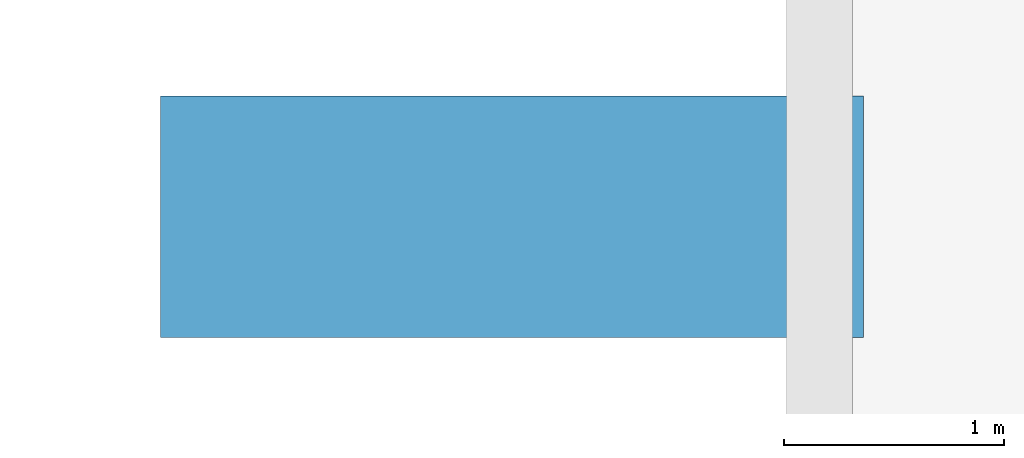
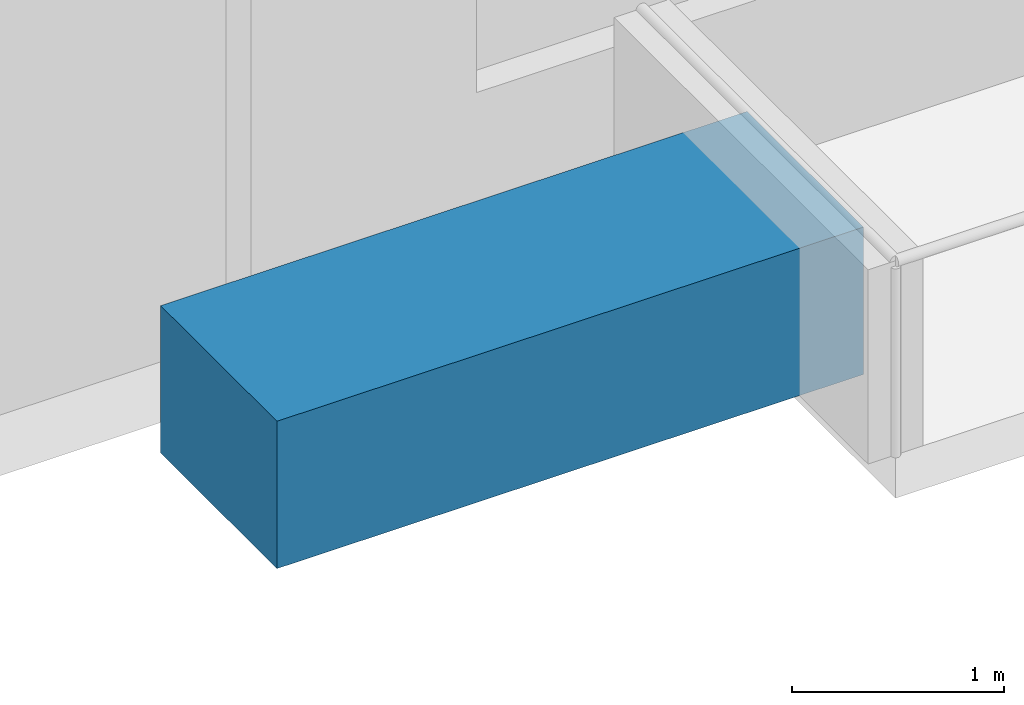
# One storey, part 12 of 16: 1 discrete accessory.
"""IFC4 building model written with IfcOpenShell, lengths in metres."""

from ifc_helpers import new_model, si_unit, direction, frame, origin, origin_2d, place, context, subcontext, project, spatial, rectangle, extrude, material, type_object, element, save


model = new_model("IFC4")

# Units and contexts
model_context = context("Model", 3, precision=1e-05, world=origin(), true_north=direction((0.0, 1.0)))
body_context = subcontext(model_context, "Body", "Model", "MODEL_VIEW")
ifc_project = project(units=[si_unit("LENGTHUNIT", "METRE"), si_unit("AREAUNIT", "SQUARE_METRE"), si_unit("VOLUMEUNIT", "CUBIC_METRE"), si_unit("PLANEANGLEUNIT", "RADIAN"), si_unit("MASSUNIT", "GRAM", prefix="KILO")], contexts=[model_context])

# Site, building, storey
site_placement = place(None, origin())
site = spatial("IfcSite", under=ifc_project, at=site_placement, CompositionType="ELEMENT")
building_placement = place(site_placement, origin())
building = spatial("IfcBuilding", under=site, at=building_placement, Name="Kolvaren Arena Tower", CompositionType="ELEMENT")
storey_placement = place(building_placement, frame((0.0, 0.0, 28.0)))
storey = spatial("IfcBuildingStorey", under=building, at=storey_placement, Name="L05", CompositionType="ELEMENT", Elevation=28.0)

# Discrete accessory
ifc_material = material(Name="Precast concrete C45/55 structural planter with planting soil", Category="concrete")
discrete_accessory_type = type_object("IfcDiscreteAccessoryType", Name="ACC-PLNT-1", PredefinedType="USERDEFINED", material=ifc_material)
discrete_accessory_placement = place(storey_placement, frame((14.800048828125, -1.199951171875, 0.0), z_axis=(0.0, 0.0, 1.0), x_axis=(1.0, 0.0, 0.0)))
element("IfcDiscreteAccessory", 1, at=discrete_accessory_placement, inside=storey, type_object=discrete_accessory_type, Name="Planted Terrace Soil Planter (L05)", ObjectType="PLANTER", PredefinedType="USERDEFINED", context=body_context, shape_type="SweptSolid", body=[
    extrude(rectangle(XDim=3.199951171875, YDim=1.10009765625, at=origin_2d()), origin(), (0.0, 0.0, 1.0), 0.85009765625),
])

save(model, "model.ifc")
